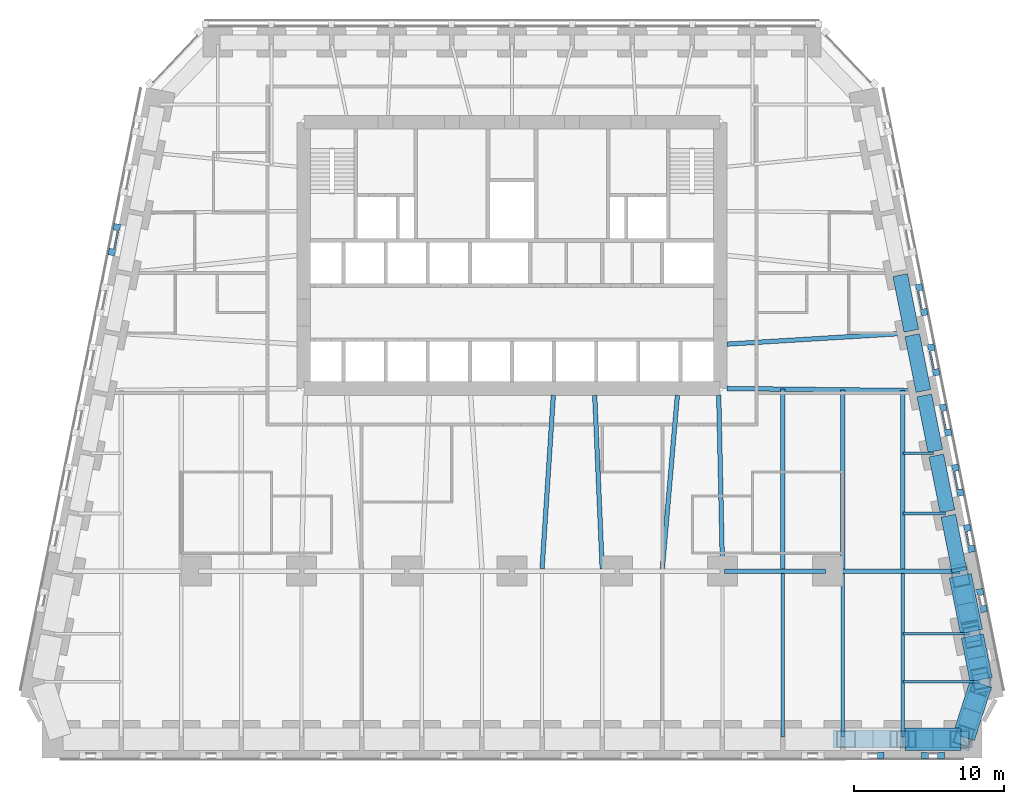
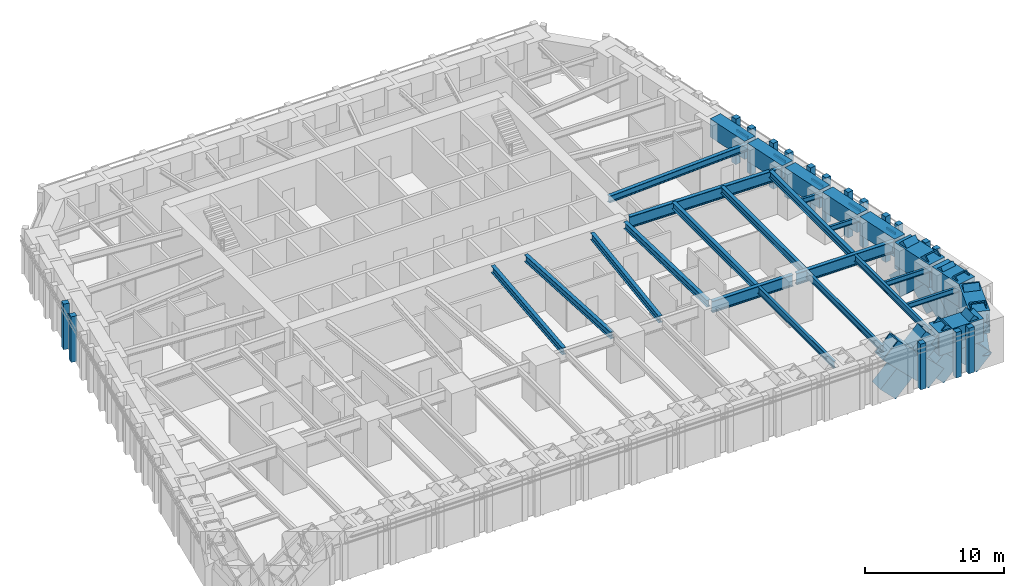
# One storey, part 3 of 16: 33 members, 27 beams, 9 elements without a shape of their own.
"""IFC4 building model written with IfcOpenShell, lengths in metres."""

from ifc_helpers import new_model, si_unit, direction, frame, origin, origin_2d, place, context, subcontext, project, spatial, rectangle, hollow_rectangle, i_section, extrude, material, material_profile, profile_set, type_object, element, aggregate, save


model = new_model("IFC4")

# Units and contexts
model_context = context("Model", 3, precision=1e-05, world=origin(), true_north=direction((0.0, 1.0)))
body_context = subcontext(model_context, "Body", "Model", "MODEL_VIEW")
ifc_project = project(units=[si_unit("LENGTHUNIT", "METRE"), si_unit("AREAUNIT", "SQUARE_METRE"), si_unit("VOLUMEUNIT", "CUBIC_METRE"), si_unit("PLANEANGLEUNIT", "RADIAN"), si_unit("MASSUNIT", "GRAM", prefix="KILO")], contexts=[model_context])

# Site, building, storey
site_placement = place(None, origin())
site = spatial("IfcSite", under=ifc_project, at=site_placement, CompositionType="ELEMENT")
building_placement = place(site_placement, origin())
building = spatial("IfcBuilding", under=site, at=building_placement, Name="Isbrekke Arena Tower", CompositionType="ELEMENT")
storey_placement = place(building_placement, frame((0.0, 0.0, 40.0)))
storey = spatial("IfcBuildingStorey", under=building, at=storey_placement, Name="L07", CompositionType="ELEMENT", Elevation=40.0)

# Beams
ifc_material_1 = material(Name="Steel S355", Category="steel")
ifc_material_profile_1 = material_profile(ifc_material_1, i_section(OverallWidth=0.219970703125, OverallDepth=0.60009765625, WebThickness=0.011962890625, FlangeThickness=0.01904296875, FilletRadius=0.02392578125, at=origin_2d()), Name="IPE 600")
ifc_profile_set_1 = profile_set([ifc_material_profile_1], Name="Steel S355")
beam_type_1 = type_object("IfcBeamType", Name="B1 IPE 600", PredefinedType="BEAM", material=ifc_profile_set_1)
for number, where, z_axis, x_axis, name in (
    (1, (18.0, -17.02490234375, 3.550048828125), (0.0, 1.0, 0.0), (-1.0, 0.0, 0.0), "B1 beam S-S13 L07"),
    (2, (22.0, -17.02490234375, 3.550048828125), (0.0, 1.0, 0.0), (-1.0, 0.0, 0.0), "B1 beam S-S14 L07"),
    (3, (26.0, -17.02490234375, 3.550048828125), (0.0, 1.0, 0.0), (-1.0, 0.0, 0.0), "B1 beam S-S15 L07"),
):
    element("IfcBeam", number, at=place(storey_placement, frame(where, z_axis=z_axis, x_axis=x_axis)), inside=storey, type_object=beam_type_1, Name=name, PredefinedType="BEAM", context=body_context, shape_type="SweptSolid", body=[
        extrude(i_section(OverallWidth=0.219970703125, OverallDepth=0.60009765625, WebThickness=0.011962890625, FlangeThickness=0.01904296875, FilletRadius=0.02392578125, at=origin_2d()), origin(), (0.0, 0.0, 1.0), 10.8740234375),
    ])
ifc_material_2 = material(Name="Steel S355", Category="steel")
ifc_material_profile_2 = material_profile(ifc_material_2, i_section(OverallWidth=0.18994140625, OverallDepth=0.449951171875, WebThickness=0.009521484375, FlangeThickness=0.0146484375, FilletRadius=0.02099609375, at=origin_2d()), Name="IPE 450")
ifc_profile_set_2 = profile_set([ifc_material_profile_2], Name="Steel S355")
beam_type_2 = type_object("IfcBeamType", Name="B2 IPE 450", PredefinedType="BEAM", material=ifc_profile_set_2)
beam_1_placement = place(storey_placement, frame((31.079345703125, -13.352783203125, 3.625), z_axis=(-1.0, 0.0, 0.0), x_axis=(0.0, -1.0, 0.0)))
element("IfcBeam", 4, at=beam_1_placement, inside=storey, type_object=beam_type_2, Name="B2 beam E-E01 L07", PredefinedType="BEAM", context=body_context, shape_type="SweptSolid", body=[
    extrude(i_section(OverallWidth=0.18994140625, OverallDepth=0.449951171875, WebThickness=0.009521484375, FlangeThickness=0.0146484375, FilletRadius=0.02099609375, at=origin_2d()), origin(), (0.0, 0.0, 1.0), 5.079345703125),
])
beam_2_placement = place(storey_placement, frame((30.44091796875, -10.161865234375, 3.625), z_axis=(-1.0, 0.0, 0.0), x_axis=(0.0, -1.0, 0.0)))
element("IfcBeam", 5, at=beam_2_placement, inside=storey, type_object=beam_type_2, Name="B2 beam E-E02 L07", PredefinedType="BEAM", context=body_context, shape_type="SweptSolid", body=[
    extrude(i_section(OverallWidth=0.18994140625, OverallDepth=0.449951171875, WebThickness=0.009521484375, FlangeThickness=0.0146484375, FilletRadius=0.02099609375, at=origin_2d()), origin(), (0.0, 0.0, 1.0), 4.44091796875),
])
beam_3_placement = place(storey_placement, frame((28.841064453125, -2.161865234375, 3.625), z_axis=(-1.0, 0.0, 0.0), x_axis=(0.0, -1.0, 0.0)))
element("IfcBeam", 6, at=beam_3_placement, inside=storey, type_object=beam_type_2, Name="B2 beam E-E04 L07", PredefinedType="BEAM", context=body_context, shape_type="SweptSolid", body=[
    extrude(i_section(OverallWidth=0.18994140625, OverallDepth=0.449951171875, WebThickness=0.009521484375, FlangeThickness=0.0146484375, FilletRadius=0.02099609375, at=origin_2d()), origin(), (0.0, 0.0, 1.0), 2.841064453125),
])
beam_4_placement = place(storey_placement, frame((28.041015625, 1.838134765625, 3.625), z_axis=(-1.0, 0.0, 0.0), x_axis=(0.0, -1.0, 0.0)))
element("IfcBeam", 7, at=beam_4_placement, inside=storey, type_object=beam_type_2, Name="B2 beam E-E05 L07", PredefinedType="BEAM", context=body_context, shape_type="SweptSolid", body=[
    extrude(i_section(OverallWidth=0.18994140625, OverallDepth=0.449951171875, WebThickness=0.009521484375, FlangeThickness=0.0146484375, FilletRadius=0.02099609375, at=origin_2d()), origin(), (0.0, 0.0, 1.0), 2.041015625),
])
ifc_material_3 = material(Name="Steel S355", Category="steel")
ifc_material_profile_3 = material_profile(ifc_material_3, i_section(OverallWidth=0.300048828125, OverallDepth=0.60009765625, WebThickness=0.015380859375, FlangeThickness=0.030029296875, FilletRadius=0.027099609375, at=origin_2d()), Name="HEB 600")
ifc_profile_set_3 = profile_set([ifc_material_profile_3], Name="Steel S355")
beam_type_3 = type_object("IfcBeamType", Name="B7 HEB 600", PredefinedType="BEAM", material=ifc_profile_set_3)
beam_5_placement = place(storey_placement, frame((2.000732421875, -5.83935546875, 3.550048828125), z_axis=(0.064795318476, 0.997898575359, 0.0), x_axis=(-0.997898575359, 0.064795318476, 0.0)))
element("IfcBeam", 8, at=beam_5_placement, inside=storey, type_object=beam_type_3, Name="B7 beam C-M08 L07", PredefinedType="BEAM", context=body_context, shape_type="SweptSolid", body=[
    extrude(i_section(OverallWidth=0.300048828125, OverallDepth=0.60009765625, WebThickness=0.015380859375, FlangeThickness=0.030029296875, FilletRadius=0.027099609375, at=origin_2d()), origin(), (0.0, 0.0, 1.0), 11.563720703125),
])
beam_6_placement = place(storey_placement, frame((5.999755859375, -5.842529296875, 3.550048828125), z_axis=(-0.04325656756, 0.99906399663, 0.0), x_axis=(-0.99906399663, -0.04325656756, 0.0)))
element("IfcBeam", 9, at=beam_6_placement, inside=storey, type_object=beam_type_3, Name="B7 beam C-M09 L07", PredefinedType="BEAM", context=body_context, shape_type="SweptSolid", body=[
    extrude(i_section(OverallWidth=0.300048828125, OverallDepth=0.60009765625, WebThickness=0.015380859375, FlangeThickness=0.030029296875, FilletRadius=0.027099609375, at=origin_2d()), origin(), (0.0, 0.0, 1.0), 11.55322265625),
])
beam_7_placement = place(storey_placement, frame((10.001220703125, -5.836181640625, 3.550048828125), z_axis=(0.086255671377, 0.996273034442, 0.0), x_axis=(-0.996273034442, 0.086255671377, 0.0)))
element("IfcBeam", 10, at=beam_7_placement, inside=storey, type_object=beam_type_3, Name="B7 beam C-M10 L07", PredefinedType="BEAM", context=body_context, shape_type="SweptSolid", body=[
    extrude(i_section(OverallWidth=0.300048828125, OverallDepth=0.60009765625, WebThickness=0.015380859375, FlangeThickness=0.030029296875, FilletRadius=0.027099609375, at=origin_2d()), origin(), (0.0, 0.0, 1.0), 11.579345703125),
])
beam_8_placement = place(storey_placement, frame((14.0, -5.8466796875, 3.550048828125), z_axis=(-0.021646264273, 0.999765692171, 0.0), x_axis=(-0.999765692171, -0.021646264273, 0.0)))
element("IfcBeam", 11, at=beam_8_placement, inside=storey, type_object=beam_type_3, Name="B7 beam C-M11 L07", PredefinedType="BEAM", context=body_context, shape_type="SweptSolid", body=[
    extrude(i_section(OverallWidth=0.300048828125, OverallDepth=0.60009765625, WebThickness=0.015380859375, FlangeThickness=0.030029296875, FilletRadius=0.027099609375, at=origin_2d()), origin(), (0.0, 0.0, 1.0), 11.54931640625),
])
beam_9_placement = place(storey_placement, frame((18.0, -5.84912109375, 3.550048828125), z_axis=(0.0, 1.0, 0.0), x_axis=(-1.0, 0.0, 0.0)))
element("IfcBeam", 12, at=beam_9_placement, inside=storey, type_object=beam_type_3, Name="B7 beam C-M12 L07", PredefinedType="BEAM", context=body_context, shape_type="SweptSolid", body=[
    extrude(i_section(OverallWidth=0.300048828125, OverallDepth=0.60009765625, WebThickness=0.015380859375, FlangeThickness=0.030029296875, FilletRadius=0.027099609375, at=origin_2d()), origin(), (0.0, 0.0, 1.0), 11.956787109375),
])
beam_10_placement = place(storey_placement, frame((22.0, -5.84912109375, 3.550048828125), z_axis=(0.0, 1.0, 0.0), x_axis=(-1.0, 0.0, 0.0)))
element("IfcBeam", 13, at=beam_10_placement, inside=storey, type_object=beam_type_3, Name="B7 beam C-M13 L07", PredefinedType="BEAM", context=body_context, shape_type="SweptSolid", body=[
    extrude(i_section(OverallWidth=0.300048828125, OverallDepth=0.60009765625, WebThickness=0.015380859375, FlangeThickness=0.030029296875, FilletRadius=0.027099609375, at=origin_2d()), origin(), (0.0, 0.0, 1.0), 11.910888671875),
])
beam_11_placement = place(storey_placement, frame((26.0, -5.84912109375, 3.550048828125), z_axis=(0.0, 1.0, 0.0), x_axis=(-1.0, 0.0, 0.0)))
element("IfcBeam", 14, at=beam_11_placement, inside=storey, type_object=beam_type_3, Name="B7 beam C-M14 L07", PredefinedType="BEAM", context=body_context, shape_type="SweptSolid", body=[
    extrude(i_section(OverallWidth=0.300048828125, OverallDepth=0.60009765625, WebThickness=0.015380859375, FlangeThickness=0.030029296875, FilletRadius=0.027099609375, at=origin_2d()), origin(), (0.0, 0.0, 1.0), 11.864990234375),
])
beam_12_placement = place(storey_placement, frame((26.431884765625, 9.837646484375, 3.550048828125), z_axis=(-0.998157121592, -0.060682457223, 0.0), x_axis=(0.060682457223, -0.998157121592, 0.0)))
element("IfcBeam", 15, at=beam_12_placement, inside=storey, type_object=beam_type_3, Name="B7 beam E-E07 L07", PredefinedType="BEAM", context=body_context, shape_type="SweptSolid", body=[
    extrude(i_section(OverallWidth=0.300048828125, OverallDepth=0.60009765625, WebThickness=0.015380859375, FlangeThickness=0.030029296875, FilletRadius=0.027099609375, at=origin_2d()), origin(), (0.0, 0.0, 1.0), 12.154296875),
])

# Curtain wall, member
ifc_material_4 = material(Name="Glazed aluminium curtain wall", Category="aluminium")
curtain_wall_type = type_object("IfcCurtainWallType", Name="CWL TOWER CURTAIN WALL LOW ZONE", PredefinedType="USERDEFINED", material=ifc_material_4)
curtain_wall_1_placement = place(storey_placement, origin())
curtain_wall_1 = element("IfcCurtainWall", 16, at=curtain_wall_1_placement, inside=storey, type_object=curtain_wall_type, Name="CWL curtain wall L07-S27", ObjectType="TOWER CURTAIN WALL LOW ZONE", PredefinedType="USERDEFINED")
ifc_material_5 = material(Name="Aluminium mullion, pale brick slip cladding", Category="masonry")
ifc_material_profile_4 = material_profile(ifc_material_5, rectangle(XDim=0.449951171875, YDim=0.449951171875, at=origin_2d()), Name="PIER 450X450")
ifc_profile_set_4 = profile_set([ifc_material_profile_4], Name="Aluminium mullion, pale brick slip cladding")
member_type_1 = type_object("IfcMemberType", Name="CWL-M PIER MULLION 450 x 450", PredefinedType="MULLION", material=ifc_profile_set_4)
member_1_placement = place(storey_placement, frame((24.52490234375, -18.25, 0.0), z_axis=(0.0, 0.0, 1.0), x_axis=(1.0, 0.0, 0.0)))
member_1 = element("IfcMember", 17, at=member_1_placement, type_object=member_type_1, Name="CWL-M mullion 2", PredefinedType="MULLION", context=body_context, shape_type="SweptSolid", body=[
    extrude(rectangle(XDim=0.449951171875, YDim=0.449951171875, at=origin_2d()), origin(), (0.0, 0.0, 1.0), 4.0),
])
aggregate(curtain_wall_1, [member_1])

# Curtain wall, members
curtain_wall_2_placement = place(storey_placement, origin())
curtain_wall_2 = element("IfcCurtainWall", 18, at=curtain_wall_2_placement, inside=storey, type_object=curtain_wall_type, Name="CWL curtain wall L07-S29", ObjectType="TOWER CURTAIN WALL LOW ZONE", PredefinedType="USERDEFINED")
member_2_placement = place(storey_placement, frame((27.47509765625, -18.25, 0.0), z_axis=(0.0, 0.0, 1.0), x_axis=(1.0, 0.0, 0.0)))
member_2 = element("IfcMember", 19, at=member_2_placement, type_object=member_type_1, Name="CWL-M mullion 1", PredefinedType="MULLION", context=body_context, shape_type="SweptSolid", body=[
    extrude(rectangle(XDim=0.449951171875, YDim=0.449951171875, at=origin_2d()), origin(), (0.0, 0.0, 1.0), 4.0),
])
member_3_placement = place(storey_placement, frame((28.527099609375, -18.25, 0.0), z_axis=(0.0, 0.0, 1.0), x_axis=(1.0, 0.0, 0.0)))
member_3 = element("IfcMember", 20, at=member_3_placement, type_object=member_type_1, Name="CWL-M mullion 2", PredefinedType="MULLION", context=body_context, shape_type="SweptSolid", body=[
    extrude(rectangle(XDim=0.449951171875, YDim=0.449951171875, at=origin_2d()), origin(), (0.0, 0.0, 1.0), 4.0),
])
aggregate(curtain_wall_2, [member_2, member_3])

curtain_wall_3_placement = place(storey_placement, origin())
curtain_wall_3 = element("IfcCurtainWall", 21, at=curtain_wall_3_placement, inside=storey, type_object=curtain_wall_type, Name="CWL curtain wall L07-E3", ObjectType="TOWER CURTAIN WALL LOW ZONE", PredefinedType="USERDEFINED")
member_4_placement = place(storey_placement, frame((31.35595703125, -8.504638671875, 0.0), z_axis=(0.0, 0.0, 1.0), x_axis=(-0.196116135138, 0.980580675691, 0.0)))
member_4 = element("IfcMember", 22, at=member_4_placement, type_object=member_type_1, Name="CWL-M mullion 1", PredefinedType="MULLION", context=body_context, shape_type="SweptSolid", body=[
    extrude(rectangle(XDim=0.449951171875, YDim=0.449951171875, at=origin_2d()), origin(), (0.0, 0.0, 1.0), 4.0),
])
member_5_placement = place(storey_placement, frame((31.134521484375, -7.397216796875, 0.0), z_axis=(0.0, 0.0, 1.0), x_axis=(-0.196116135138, 0.980580675691, 0.0)))
member_5 = element("IfcMember", 23, at=member_5_placement, type_object=member_type_1, Name="CWL-M mullion 2", PredefinedType="MULLION", context=body_context, shape_type="SweptSolid", body=[
    extrude(rectangle(XDim=0.449951171875, YDim=0.449951171875, at=origin_2d()), origin(), (0.0, 0.0, 1.0), 4.0),
])
aggregate(curtain_wall_3, [member_4, member_5])

curtain_wall_4_placement = place(storey_placement, origin())
curtain_wall_4 = element("IfcCurtainWall", 24, at=curtain_wall_4_placement, inside=storey, type_object=curtain_wall_type, Name="CWL curtain wall L07-E5", ObjectType="TOWER CURTAIN WALL LOW ZONE", PredefinedType="USERDEFINED")
member_6_placement = place(storey_placement, frame((30.555908203125, -4.504638671875, 0.0), z_axis=(0.0, 0.0, 1.0), x_axis=(-0.196116135138, 0.980580675691, 0.0)))
member_6 = element("IfcMember", 25, at=member_6_placement, type_object=member_type_1, Name="CWL-M mullion 1", PredefinedType="MULLION", context=body_context, shape_type="SweptSolid", body=[
    extrude(rectangle(XDim=0.449951171875, YDim=0.449951171875, at=origin_2d()), origin(), (0.0, 0.0, 1.0), 4.0),
])
member_7_placement = place(storey_placement, frame((30.280517578125, -3.127685546875, 0.0), z_axis=(0.0, 0.0, 1.0), x_axis=(-0.196116135138, 0.980580675691, 0.0)))
member_7 = element("IfcMember", 26, at=member_7_placement, type_object=member_type_1, Name="CWL-M mullion 2", PredefinedType="MULLION", context=body_context, shape_type="SweptSolid", body=[
    extrude(rectangle(XDim=0.449951171875, YDim=0.449951171875, at=origin_2d()), origin(), (0.0, 0.0, 1.0), 4.0),
])

curtain_wall_5_placement = place(storey_placement, origin())
curtain_wall_5 = element("IfcCurtainWall", 27, at=curtain_wall_5_placement, inside=storey, type_object=curtain_wall_type, Name="CWL curtain wall L07-E7", ObjectType="TOWER CURTAIN WALL LOW ZONE", PredefinedType="USERDEFINED")
member_8_placement = place(storey_placement, frame((29.809814453125, -0.774169921875, 0.0), z_axis=(0.0, 0.0, 1.0), x_axis=(-0.196116135138, 0.980580675691, 0.0)))
member_8 = element("IfcMember", 28, at=member_8_placement, type_object=member_type_1, Name="CWL-M mullion 1", PredefinedType="MULLION", context=body_context, shape_type="SweptSolid", body=[
    extrude(rectangle(XDim=0.449951171875, YDim=0.449951171875, at=origin_2d()), origin(), (0.0, 0.0, 1.0), 4.0),
])
member_9_placement = place(storey_placement, frame((29.48046875, 0.872314453125, 0.0), z_axis=(0.0, 0.0, 1.0), x_axis=(-0.196116135138, 0.980580675691, 0.0)))
member_9 = element("IfcMember", 29, at=member_9_placement, type_object=member_type_1, Name="CWL-M mullion 2", PredefinedType="MULLION", context=body_context, shape_type="SweptSolid", body=[
    extrude(rectangle(XDim=0.449951171875, YDim=0.449951171875, at=origin_2d()), origin(), (0.0, 0.0, 1.0), 4.0),
])

curtain_wall_6_placement = place(storey_placement, origin())
curtain_wall_6 = element("IfcCurtainWall", 30, at=curtain_wall_6_placement, inside=storey, type_object=curtain_wall_type, Name="CWL curtain wall L07-E9", ObjectType="TOWER CURTAIN WALL LOW ZONE", PredefinedType="USERDEFINED")
member_10_placement = place(storey_placement, frame((29.009765625, 3.225830078125, 0.0), z_axis=(0.0, 0.0, 1.0), x_axis=(-0.196116135138, 0.980580675691, 0.0)))
member_10 = element("IfcMember", 31, at=member_10_placement, type_object=member_type_1, Name="CWL-M mullion 1", PredefinedType="MULLION", context=body_context, shape_type="SweptSolid", body=[
    extrude(rectangle(XDim=0.449951171875, YDim=0.449951171875, at=origin_2d()), origin(), (0.0, 0.0, 1.0), 4.0),
])
member_11_placement = place(storey_placement, frame((28.680419921875, 4.872314453125, 0.0), z_axis=(0.0, 0.0, 1.0), x_axis=(-0.196116135138, 0.980580675691, 0.0)))
member_11 = element("IfcMember", 32, at=member_11_placement, type_object=member_type_1, Name="CWL-M mullion 2", PredefinedType="MULLION", context=body_context, shape_type="SweptSolid", body=[
    extrude(rectangle(XDim=0.449951171875, YDim=0.449951171875, at=origin_2d()), origin(), (0.0, 0.0, 1.0), 4.0),
])

curtain_wall_7_placement = place(storey_placement, origin())
curtain_wall_7 = element("IfcCurtainWall", 33, at=curtain_wall_7_placement, inside=storey, type_object=curtain_wall_type, Name="CWL curtain wall L07-E11", ObjectType="TOWER CURTAIN WALL LOW ZONE", PredefinedType="USERDEFINED")
member_12_placement = place(storey_placement, frame((28.209716796875, 7.225830078125, 0.0), z_axis=(0.0, 0.0, 1.0), x_axis=(-0.196116135138, 0.980580675691, 0.0)))
member_12 = element("IfcMember", 34, at=member_12_placement, type_object=member_type_1, Name="CWL-M mullion 1", PredefinedType="MULLION", context=body_context, shape_type="SweptSolid", body=[
    extrude(rectangle(XDim=0.449951171875, YDim=0.449951171875, at=origin_2d()), origin(), (0.0, 0.0, 1.0), 4.0),
])
member_13_placement = place(storey_placement, frame((27.88037109375, 8.872314453125, 0.0), z_axis=(0.0, 0.0, 1.0), x_axis=(-0.196116135138, 0.980580675691, 0.0)))
member_13 = element("IfcMember", 35, at=member_13_placement, type_object=member_type_1, Name="CWL-M mullion 2", PredefinedType="MULLION", context=body_context, shape_type="SweptSolid", body=[
    extrude(rectangle(XDim=0.449951171875, YDim=0.449951171875, at=origin_2d()), origin(), (0.0, 0.0, 1.0), 4.0),
])

curtain_wall_8_placement = place(storey_placement, origin())
curtain_wall_8 = element("IfcCurtainWall", 36, at=curtain_wall_8_placement, inside=storey, type_object=curtain_wall_type, Name="CWL curtain wall L07-E13", ObjectType="TOWER CURTAIN WALL LOW ZONE", PredefinedType="USERDEFINED")
member_14_placement = place(storey_placement, frame((27.409912109375, 11.225830078125, 0.0), z_axis=(0.0, 0.0, 1.0), x_axis=(-0.196116135138, 0.980580675691, 0.0)))
member_14 = element("IfcMember", 37, at=member_14_placement, type_object=member_type_1, Name="CWL-M mullion 1", PredefinedType="MULLION", context=body_context, shape_type="SweptSolid", body=[
    extrude(rectangle(XDim=0.449951171875, YDim=0.449951171875, at=origin_2d()), origin(), (0.0, 0.0, 1.0), 4.0),
])
member_15_placement = place(storey_placement, frame((27.08056640625, 12.872314453125, 0.0), z_axis=(0.0, 0.0, 1.0), x_axis=(-0.196116135138, 0.980580675691, 0.0)))
member_15 = element("IfcMember", 38, at=member_15_placement, type_object=member_type_1, Name="CWL-M mullion 2", PredefinedType="MULLION", context=body_context, shape_type="SweptSolid", body=[
    extrude(rectangle(XDim=0.449951171875, YDim=0.449951171875, at=origin_2d()), origin(), (0.0, 0.0, 1.0), 4.0),
])

curtain_wall_9_placement = place(storey_placement, origin())
curtain_wall_9 = element("IfcCurtainWall", 39, at=curtain_wall_9_placement, inside=storey, type_object=curtain_wall_type, Name="CWL curtain wall L07-W5", ObjectType="TOWER CURTAIN WALL LOW ZONE", PredefinedType="USERDEFINED")
member_16_placement = place(storey_placement, frame((-26.280517578125, 16.872314453125, 0.0), z_axis=(0.0, 0.0, 1.0), x_axis=(-0.196116135138, -0.980580675691, 0.0)))
member_16 = element("IfcMember", 40, at=member_16_placement, type_object=member_type_1, Name="CWL-M mullion 1", PredefinedType="MULLION", context=body_context, shape_type="SweptSolid", body=[
    extrude(rectangle(XDim=0.449951171875, YDim=0.449951171875, at=origin_2d()), origin(), (0.0, 0.0, 1.0), 4.0),
])
member_17_placement = place(storey_placement, frame((-26.60986328125, 15.225830078125, 0.0), z_axis=(0.0, 0.0, 1.0), x_axis=(-0.196116135138, -0.980580675691, 0.0)))
member_17 = element("IfcMember", 41, at=member_17_placement, type_object=member_type_1, Name="CWL-M mullion 2", PredefinedType="MULLION", context=body_context, shape_type="SweptSolid", body=[
    extrude(rectangle(XDim=0.449951171875, YDim=0.449951171875, at=origin_2d()), origin(), (0.0, 0.0, 1.0), 4.0),
])

# Member
ifc_material_6 = material(Name="Aluminium transom", Category="aluminium")
ifc_material_profile_5 = material_profile(ifc_material_6, rectangle(XDim=0.1201171875, YDim=0.199951171875, at=origin_2d()), Name="TRANSOM 120X200")
ifc_profile_set_5 = profile_set([ifc_material_profile_5], Name="Aluminium transom")
member_type_2 = type_object("IfcMemberType", Name="CWL-T TRANSOM 120 x 200", PredefinedType="USERDEFINED", material=ifc_profile_set_5)
member_18_placement = place(storey_placement, frame((30.38916015625, -4.30859375, 3.0), z_axis=(-0.19596853661, 0.980610183844, 0.0), x_axis=(-0.980610183844, -0.19596853661, 0.0)))
member_18 = element("IfcMember", 42, at=member_18_placement, type_object=member_type_2, Name="CWL-T transom 1", ObjectType="TRANSOM", PredefinedType="USERDEFINED", context=body_context, shape_type="SweptSolid", body=[
    extrude(rectangle(XDim=0.1201171875, YDim=0.199951171875, at=origin_2d()), origin(), (0.0, 0.0, 1.0), 0.954345703125),
])

aggregate(curtain_wall_4, [member_6, member_7, member_18])

member_19_placement = place(storey_placement, frame((29.64306640625, -0.578125, 3.0), z_axis=(-0.196039741533, 0.980595951317, 0.0), x_axis=(-0.980595951317, -0.196039741533, 0.0)))
member_19 = element("IfcMember", 43, at=member_19_placement, type_object=member_type_2, Name="CWL-T transom 1", ObjectType="TRANSOM", PredefinedType="USERDEFINED", context=body_context, shape_type="SweptSolid", body=[
    extrude(rectangle(XDim=0.1201171875, YDim=0.199951171875, at=origin_2d()), origin(), (0.0, 0.0, 1.0), 1.229248046875),
])

aggregate(curtain_wall_5, [member_8, member_9, member_19])

member_20_placement = place(storey_placement, frame((28.843017578125, 3.421875, 3.0), z_axis=(-0.196039741533, 0.980595951317, 0.0), x_axis=(-0.980595951317, -0.196039741533, 0.0)))
member_20 = element("IfcMember", 44, at=member_20_placement, type_object=member_type_2, Name="CWL-T transom 1", ObjectType="TRANSOM", PredefinedType="USERDEFINED", context=body_context, shape_type="SweptSolid", body=[
    extrude(rectangle(XDim=0.1201171875, YDim=0.199951171875, at=origin_2d()), origin(), (0.0, 0.0, 1.0), 1.229248046875),
])

aggregate(curtain_wall_6, [member_10, member_11, member_20])

member_21_placement = place(storey_placement, frame((28.043212890625, 7.421875, 3.0), z_axis=(-0.19623071885, 0.980557751986, 0.0), x_axis=(-0.980557751986, -0.19623071885, 0.0)))
member_21 = element("IfcMember", 45, at=member_21_placement, type_object=member_type_2, Name="CWL-T transom 1", ObjectType="TRANSOM", PredefinedType="USERDEFINED", context=body_context, shape_type="SweptSolid", body=[
    extrude(rectangle(XDim=0.1201171875, YDim=0.199951171875, at=origin_2d()), origin(), (0.0, 0.0, 1.0), 1.229248046875),
])

aggregate(curtain_wall_7, [member_12, member_13, member_21])

member_22_placement = place(storey_placement, frame((27.2431640625, 11.421875, 3.0), z_axis=(-0.19623071885, 0.980557751986, 0.0), x_axis=(-0.980557751986, -0.19623071885, 0.0)))
member_22 = element("IfcMember", 46, at=member_22_placement, type_object=member_type_2, Name="CWL-T transom 1", ObjectType="TRANSOM", PredefinedType="USERDEFINED", context=body_context, shape_type="SweptSolid", body=[
    extrude(rectangle(XDim=0.1201171875, YDim=0.199951171875, at=origin_2d()), origin(), (0.0, 0.0, 1.0), 1.229248046875),
])

aggregate(curtain_wall_8, [member_14, member_15, member_22])

member_23_placement = place(storey_placement, frame((-26.2021484375, 16.627197265625, 3.0), z_axis=(-0.196039741533, -0.980595951317, 0.0), x_axis=(0.980595951317, -0.196039741533, 0.0)))
member_23 = element("IfcMember", 47, at=member_23_placement, type_object=member_type_2, Name="CWL-T transom 1", ObjectType="TRANSOM", PredefinedType="USERDEFINED", context=body_context, shape_type="SweptSolid", body=[
    extrude(rectangle(XDim=0.1201171875, YDim=0.199951171875, at=origin_2d()), origin(), (0.0, 0.0, 1.0), 1.229248046875),
])

aggregate(curtain_wall_9, [member_16, member_17, member_23])

# Beams
ifc_material_7 = material(Name="Steel S355", Category="steel")
ifc_material_profile_6 = material_profile(ifc_material_7, i_section(OverallWidth=0.302001953125, OverallDepth=1.008056640625, WebThickness=0.02099609375, FlangeThickness=0.0400390625, FilletRadius=0.030029296875, at=origin_2d()), Name="HEM 1000")
ifc_profile_set_6 = profile_set([ifc_material_profile_6], Name="Steel S355")
beam_type_4 = type_object("IfcBeamType", Name="G1 HEM 1000", PredefinedType="BEAM", material=ifc_profile_set_6)
beam_13_placement = place(storey_placement, frame((14.14990234375, -6.0, 3.345947265625), z_axis=(1.0, 0.0, 0.0), x_axis=(0.0, 1.0, 0.0)))
element("IfcBeam", 48, at=beam_13_placement, inside=storey, type_object=beam_type_4, Name="G1 beam G1-07 L07", PredefinedType="BEAM", context=body_context, shape_type="SweptSolid", body=[
    extrude(i_section(OverallWidth=0.302001953125, OverallDepth=1.008056640625, WebThickness=0.02099609375, FlangeThickness=0.0400390625, FilletRadius=0.030029296875, at=origin_2d()), origin(), (0.0, 0.0, 1.0), 6.7001953125),
])
beam_14_placement = place(storey_placement, frame((21.14990234375, -6.0, 3.345947265625), z_axis=(1.0, 0.0, 0.0), x_axis=(0.0, 1.0, 0.0)))
element("IfcBeam", 49, at=beam_14_placement, inside=storey, type_object=beam_type_4, Name="G1 beam G1-08 L07", PredefinedType="BEAM", context=body_context, shape_type="SweptSolid", body=[
    extrude(i_section(OverallWidth=0.302001953125, OverallDepth=1.008056640625, WebThickness=0.02099609375, FlangeThickness=0.0400390625, FilletRadius=0.030029296875, at=origin_2d()), origin(), (0.0, 0.0, 1.0), 8.64111328125),
])
ifc_material_8 = material(Name="Steel S355", Category="steel")
ifc_material_profile_7 = material_profile(ifc_material_8, i_section(OverallWidth=0.302001953125, OverallDepth=1.008056640625, WebThickness=0.02099609375, FlangeThickness=0.0400390625, FilletRadius=0.030029296875, at=origin_2d()), Name="HEM 1000")
ifc_profile_set_7 = profile_set([ifc_material_profile_7], Name="Steel S355")
beam_type_5 = type_object("IfcBeamType", Name="G2 HEM 1000", PredefinedType="BEAM", material=ifc_profile_set_7)
beam_15_placement = place(storey_placement, frame((14.300048828125, 6.14990234375, 3.345947265625), z_axis=(0.999934429634, -0.011451481699, 0.0), x_axis=(0.011451481699, 0.999934429634, 0.0)))
element("IfcBeam", 50, at=beam_15_placement, inside=storey, type_object=beam_type_5, Name="G2 beam G2-E L07", PredefinedType="BEAM", context=body_context, shape_type="SweptSolid", body=[
    extrude(i_section(OverallWidth=0.302001953125, OverallDepth=1.008056640625, WebThickness=0.02099609375, FlangeThickness=0.0400390625, FilletRadius=0.030029296875, at=origin_2d()), origin(), (0.0, 0.0, 1.0), 13.09033203125),
])
ifc_material_9 = material(Name="Concrete B90 (C90/105)", Category="concrete")
ifc_material_profile_8 = material_profile(ifc_material_9, rectangle(XDim=1.0, YDim=1.60009765625, at=origin_2d()), Name="RC 1000x1600")
ifc_profile_set_8 = profile_set([ifc_material_profile_8], Name="Concrete B90 (C90/105)")
beam_type_6 = type_object("IfcBeamType", Name="SB1 RC 1000 x 1600", PredefinedType="SPANDREL", material=ifc_profile_set_8)
for number, where, z_axis, x_axis, name in (
    (51, (29.76171875, -6.0146484375, 3.199951171875), (-0.196128558387, 0.980578190959, 0.0), (-0.980578190959, -0.196128558387, 0.0), "SB1 spandrel E03-E04 L07"),
    (52, (28.961669921875, -2.0146484375, 3.199951171875), (-0.196128558387, 0.980578190959, 0.0), (-0.980578190959, -0.196128558387, 0.0), "SB1 spandrel E04-E05 L07"),
    (53, (28.16162109375, 1.9853515625, 3.199951171875), (-0.196128558387, 0.980578190959, 0.0), (-0.980578190959, -0.196128558387, 0.0), "SB1 spandrel E05-E06 L07"),
    (54, (27.361572265625, 5.9853515625, 3.199951171875), (-0.196128558387, 0.980578190959, 0.0), (-0.980578190959, -0.196128558387, 0.0), "SB1 spandrel E06-E07 L07"),
):
    element("IfcBeam", number, at=place(storey_placement, frame(where, z_axis=z_axis, x_axis=x_axis)), inside=storey, type_object=beam_type_6, Name=name, PredefinedType="SPANDREL", context=body_context, shape_type="SweptSolid", body=[
        extrude(rectangle(XDim=1.0, YDim=1.60009765625, at=origin_2d()), origin(), (0.0, 0.0, 1.0), 3.779296875),
    ])
beam_16_placement = place(storey_placement, frame((26.5615234375, 9.9853515625, 3.199951171875), z_axis=(-0.1960664412, 0.980590613169, 0.0), x_axis=(-0.980590613169, -0.1960664412, 0.0)))
element("IfcBeam", 55, at=beam_16_placement, inside=storey, type_object=beam_type_6, Name="SB1 spandrel E07-E08 L07", PredefinedType="SPANDREL", context=body_context, shape_type="SweptSolid", body=[
    extrude(rectangle(XDim=1.0, YDim=1.60009765625, at=origin_2d()), origin(), (0.0, 0.0, 1.0), 3.779052734375),
])
ifc_material_10 = material(Name="Concrete B90 (C90/105)", Category="concrete")
ifc_material_profile_9 = material_profile(ifc_material_10, rectangle(XDim=1.5, YDim=2.0, at=origin_2d()), Name="RC 1500x2000")
ifc_profile_set_9 = profile_set([ifc_material_profile_9], Name="Concrete B90 (C90/105)")
beam_type_7 = type_object("IfcBeamType", Name="SB6 RC 1500 x 2000", PredefinedType="SPANDREL", material=ifc_profile_set_9)
beam_17_placement = place(storey_placement, frame((26.14990234375, -17.175048828125, 3.0), z_axis=(1.0, 0.0, 0.0), x_axis=(0.0, 1.0, 0.0)))
element("IfcBeam", 56, at=beam_17_placement, inside=storey, type_object=beam_type_7, Name="SB6 spandrel S15-S16 L07", PredefinedType="SPANDREL", context=body_context, shape_type="SweptSolid", body=[
    extrude(rectangle(XDim=1.5, YDim=2.0, at=origin_2d()), origin(), (0.0, 0.0, 1.0), 3.7001953125),
])
beam_18_placement = place(storey_placement, frame((30.0458984375, -17.0322265625, 3.0), z_axis=(0.306175101476, 0.951975213562, 0.0), x_axis=(-0.951975213562, 0.306175101476, 0.0)))
element("IfcBeam", 57, at=beam_18_placement, inside=storey, type_object=beam_type_7, Name="SB6 spandrel S16-E01 L07", PredefinedType="SPANDREL", context=body_context, shape_type="SweptSolid", body=[
    extrude(rectangle(XDim=1.5, YDim=2.0, at=origin_2d()), origin(), (0.0, 0.0, 1.0), 3.715087890625),
])
beam_19_placement = place(storey_placement, frame((31.19970703125, -13.205810546875, 3.0), z_axis=(-0.196100243168, 0.980583853951, 0.0), x_axis=(-0.980583853951, -0.196100243168, 0.0)))
element("IfcBeam", 58, at=beam_19_placement, inside=storey, type_object=beam_type_7, Name="SB6 spandrel E01-E02 L07", PredefinedType="SPANDREL", context=body_context, shape_type="SweptSolid", body=[
    extrude(rectangle(XDim=1.5, YDim=2.0, at=origin_2d()), origin(), (0.0, 0.0, 1.0), 2.954345703125),
])
beam_20_placement = place(storey_placement, frame((30.5615234375, -10.0146484375, 3.0), z_axis=(-0.1960664412, 0.980590613169, 0.0), x_axis=(-0.980590613169, -0.1960664412, 0.0)))
element("IfcBeam", 59, at=beam_20_placement, inside=storey, type_object=beam_type_7, Name="SB6 spandrel E02-E03 L07", PredefinedType="SPANDREL", context=body_context, shape_type="SweptSolid", body=[
    extrude(rectangle(XDim=1.5, YDim=2.0, at=origin_2d()), origin(), (0.0, 0.0, 1.0), 3.779052734375),
])

# Members
ifc_material_11 = material(Name="Steel S460", Category="steel")
ifc_material_profile_10 = material_profile(ifc_material_11, hollow_rectangle(XDim=1.199951171875, YDim=1.800048828125, WallThickness=0.090087890625, at=origin_2d()), Name="BOX 1200x1800x90")
ifc_profile_set_10 = profile_set([ifc_material_profile_10], Name="Steel S460")
member_type_3 = type_object("IfcMemberType", Name="TB1 BOX 1200x1800x90", PredefinedType="BRACE", material=ifc_profile_set_10)
for number, where, z_axis, x_axis, name in (
    (60, (22.0, -17.175048828125, 0.0), (0.707106781187, 0.0, 0.707106781187), (0.0, 1.0, 0.0), "TB1 transfer brace S14-S15 L07 A"),
    (61, (22.220703125, -17.175048828125, 3.779296875), (0.707106781187, 0.0, -0.707106781187), (0.0, 1.0, 0.0), "TB1 transfer brace S14-S15 L07 B"),
    (62, (26.0, -17.175048828125, 0.0), (0.707106781187, 0.0, 0.707106781187), (0.0, 1.0, 0.0), "TB1 transfer brace S15-S16 L07 A"),
    (63, (26.220703125, -17.175048828125, 3.779296875), (0.707106781187, 0.0, -0.707106781187), (0.0, 1.0, 0.0), "TB1 transfer brace S15-S16 L07 B"),
):
    element("IfcMember", number, at=place(storey_placement, frame(where, z_axis=z_axis, x_axis=x_axis)), inside=storey, type_object=member_type_3, Name=name, PredefinedType="BRACE", context=body_context, shape_type="SweptSolid", body=[
        extrude(hollow_rectangle(XDim=1.199951171875, YDim=1.800048828125, WallThickness=0.090087890625, at=origin_2d()), origin(), (0.0, 0.0, 1.0), 5.3447265625),
    ])
for number, where, z_axis, x_axis, name in (
    (64, (30.0, -17.175048828125, 0.0), (0.216888895255, 0.67441597421, 0.705777798493), (-0.951982356028, 0.306152892868, 0.0), "TB1 transfer brace S16-E01 L07 A"),
    (65, (30.067626953125, -16.96484375, 3.780029296875), (0.216888895255, 0.67441597421, -0.705777798493), (-0.951982356028, 0.306152892868, 0.0), "TB1 transfer brace S16-E01 L07 B"),
):
    element("IfcMember", number, at=place(storey_placement, frame(where, z_axis=z_axis, x_axis=x_axis)), inside=storey, type_object=member_type_3, Name=name, PredefinedType="BRACE", context=body_context, shape_type="SweptSolid", body=[
        extrude(hollow_rectangle(XDim=1.199951171875, YDim=1.800048828125, WallThickness=0.090087890625, at=origin_2d()), origin(), (0.0, 0.0, 1.0), 5.355712890625),
    ])
for number, where, z_axis, x_axis, name in (
    (66, (31.229248046875, -13.352783203125, 0.0), (-0.123773292261, 0.618815796836, 0.775723650348), (-0.980577587758, -0.196131574168, 0.0), "TB1 transfer brace E01-E02 L07 A"),
    (67, (31.1875, -13.143798828125, 3.738037109375), (-0.123773292261, 0.618815796836, -0.775723650348), (-0.980577587758, -0.196131574168, 0.0), "TB1 transfer brace E01-E02 L07 B"),
):
    element("IfcMember", number, at=place(storey_placement, frame(where, z_axis=z_axis, x_axis=x_axis)), inside=storey, type_object=member_type_3, Name=name, PredefinedType="BRACE", context=body_context, shape_type="SweptSolid", body=[
        extrude(hollow_rectangle(XDim=1.199951171875, YDim=1.800048828125, WallThickness=0.090087890625, at=origin_2d()), origin(), (0.0, 0.0, 1.0), 4.81884765625),
    ])
for number, where, z_axis, x_axis, name in (
    (68, (30.591064453125, -10.161865234375, 0.0), (-0.140028008403, 0.700140042014, 0.700140042014), (-0.980580675691, -0.196116135138, 0.0), "TB1 transfer brace E02-E03 L07 A"),
    (69, (30.547607421875, -9.944580078125, 3.782958984375), (-0.140032438362, 0.700117005481, -0.700162191812), (-0.980578241477, -0.196128305817, 0.0), "TB1 transfer brace E02-E03 L07 B"),
):
    element("IfcMember", number, at=place(storey_placement, frame(where, z_axis=z_axis, x_axis=x_axis)), inside=storey, type_object=member_type_3, Name=name, PredefinedType="BRACE", context=body_context, shape_type="SweptSolid", body=[
        extrude(hollow_rectangle(XDim=1.199951171875, YDim=1.800048828125, WallThickness=0.090087890625, at=origin_2d()), origin(), (0.0, 0.0, 1.0), 5.403076171875),
    ])

save(model, "model.ifc")
